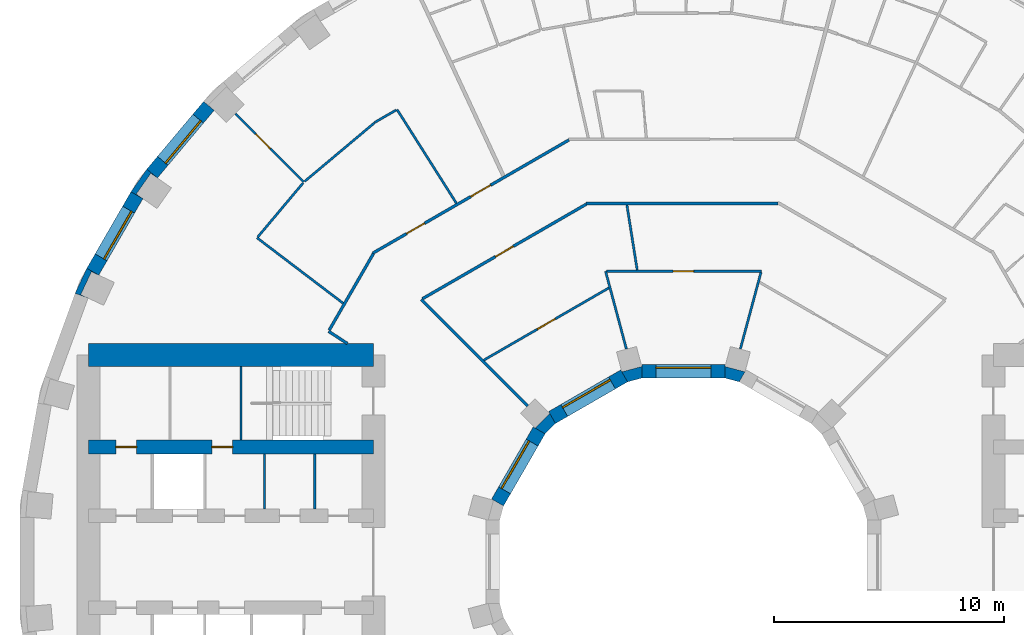
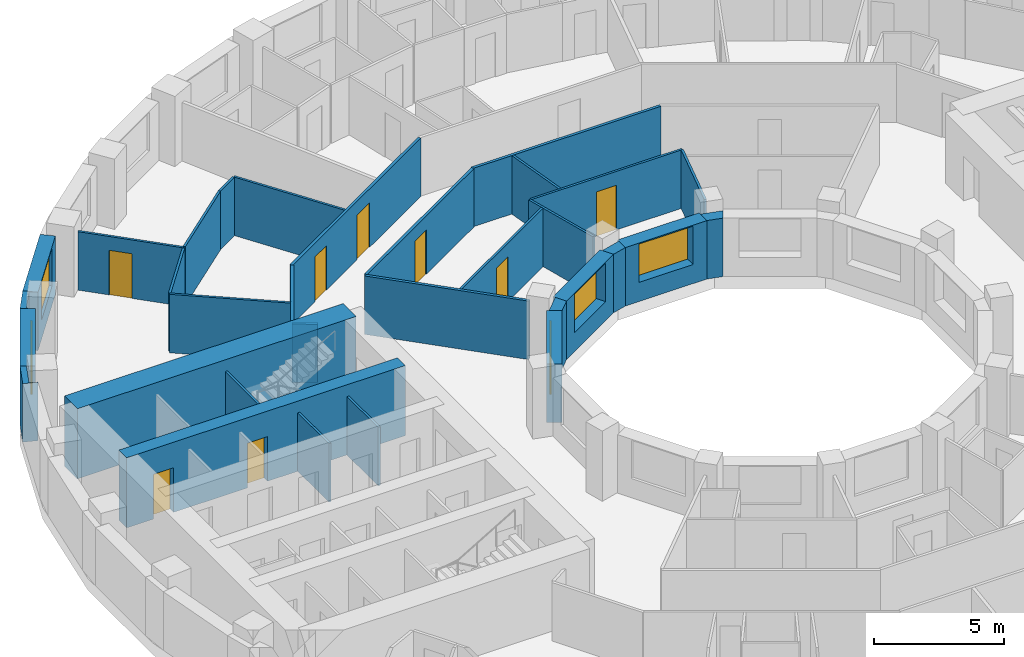
# One storey, part 10 of 15: 32 walls, 8 doors, 5 windows, 13 openings.
"""IFC4 building model written with IfcOpenShell, lengths in metres."""

from ifc_helpers import new_model, si_unit, direction, frame, frame_2d, origin, place, context, subcontext, project, spatial, polyline, rectangle, outline, extrude, material, layer, layer_set, type_object, element, fill, save


model = new_model("IFC4")

# Units and contexts
model_context = context("Model", 3, precision=1e-05, world=origin(), true_north=direction((0.0, 1.0)))
body_context = subcontext(model_context, "Body", "Model", "MODEL_VIEW")
ifc_project = project(units=[si_unit("LENGTHUNIT", "METRE"), si_unit("AREAUNIT", "SQUARE_METRE"), si_unit("VOLUMEUNIT", "CUBIC_METRE"), si_unit("PLANEANGLEUNIT", "RADIAN"), si_unit("MASSUNIT", "GRAM", prefix="KILO")], contexts=[model_context])

# Site, building, storey
site_placement = place(None, origin())
site = spatial("IfcSite", under=ifc_project, at=site_placement, CompositionType="ELEMENT")
building_placement = place(site_placement, origin())
building = spatial("IfcBuilding", under=site, at=building_placement, Name="Saqina Gate Tower", CompositionType="ELEMENT")
storey_placement = place(building_placement, frame((0.0, 0.0, 42.800048828125)))
storey = spatial("IfcBuildingStorey", under=building, at=storey_placement, Name="L11", CompositionType="ELEMENT", Elevation=42.800048828125)

# Walls
ifc_material_1 = material(Name="Brick masonry (red)", Category="masonry")
wall_type_1 = type_object("IfcWallType", Name="BRICK PIER COPING RED", PredefinedType="SOLIDWALL", material=ifc_material_1)
wall_1_placement = place(storey_placement, origin())
element("IfcWall", 1, at=wall_1_placement, inside=storey, type_object=wall_type_1, Name="Pier cap L11 column 15", PredefinedType="SOLIDWALL", context=body_context, shape_type="SweptSolid", body=[
    extrude(outline(polyline([(-23.36669921875, 17.096923828125), (-24.0576171875, 16.110107421875), (-23.5380859375, 15.81005859375), (-23.8251953125, 16.010986328125), (-23.194091796875, 16.912109375), (-22.9072265625, 16.711181640625), (-23.36669921875, 17.096923828125)])), origin(), (0.0, 0.0, 1.0), 2.75),
])
wall_2_placement = place(storey_placement, origin())
element("IfcWall", 2, at=wall_2_placement, inside=storey, type_object=wall_type_1, Name="Pier cap L11 column 16", PredefinedType="SOLIDWALL", context=body_context, shape_type="SweptSolid", body=[
    extrude(outline(polyline([(-26.48974609375, 11.687744140625), (-25.92578125, 11.482666015625), (-26.243408203125, 11.630615234375), (-25.778564453125, 12.627685546875), (-25.4609375, 12.4794921875), (-25.980712890625, 12.779541015625), (-26.48974609375, 11.687744140625)])), origin(), (0.0, 0.0, 1.0), 2.75),
])
ifc_material_2 = material(Name="Gypsum board on steel studs", Category="steel")
ifc_layer_1 = layer(ifc_material_2, 0.10009765625)
ifc_layer_set_1 = layer_set([ifc_layer_1], Name="CORE PARTITION")
wall_type_2 = type_object("IfcWallType", Name="CORE PARTITION", PredefinedType="PARTITIONING", material=ifc_layer_set_1)
for number, where, z_axis, x_axis, name in (
    (3, (-16.052001953125, 2.300048828125, 0.0), (0.0, 0.0, 1.0), (0.0, 1.0, 0.0), "L11-CP-W01"),
    (4, (-18.24072265625, 2.300048828125, 0.0), (0.0, 0.0, 1.0), (0.0, 1.0, 0.0), "L11-CP-W02"),
):
    element("IfcWall", number, at=place(storey_placement, frame(where, z_axis=z_axis, x_axis=x_axis)), inside=storey, type_object=wall_type_2, Name=name, PredefinedType="PARTITIONING", context=body_context, shape_type="SweptSolid", body=[
        extrude(rectangle(XDim=2.39990234375, YDim=0.10009765625, at=frame_2d((1.199951171875, 0.0))), origin(), (0.0, 0.0, 1.0), 2.75),
    ])

# Wall, opening, window
ifc_material_3 = material(Name="Brick masonry (red)", Category="masonry")
ifc_layer_2 = layer(ifc_material_3, 0.60009765625)
ifc_layer_set_2 = layer_set([ifc_layer_2], Name="FW-BRICK-RED")
wall_type_3 = type_object("IfcWallType", Name="FW-BRICK-RED", PredefinedType="SOLIDWALL", material=ifc_layer_set_2)
wall_3_placement = place(storey_placement, frame((-20.664794921875, 19.85009765625, 0.0), z_axis=(0.0, 0.0, 1.0), x_axis=(-0.642809392687, -0.766026164483, 0.0)))
wall_3 = element("IfcWall", 5, at=wall_3_placement, inside=storey, type_object=wall_type_3, Name="Facade wall L11 facet 14", PredefinedType="SOLIDWALL", context=body_context, shape_type="SweptSolid", body=[
    extrude(rectangle(XDim=3.845947265625, YDim=0.60009765625, at=frame_2d((1.9228515625, 0.0))), origin(), (0.0, 0.0, 1.0), 2.75),
])
opening_1_placement = place(wall_3_placement, frame((0.722900390625, 0.0, 0.89990234375)))
opening_1 = element("IfcOpeningElement", 6, at=opening_1_placement, cuts=wall_3, Name="Opening G02-W12", PredefinedType="OPENING", context=body_context, shape_type="SweptSolid", body=[
    extrude(rectangle(XDim=2.39990234375, YDim=1.800048828125, at=frame_2d((1.199951171875, 0.89990234375))), frame((0.0, 0.31201171875, 0.0), z_axis=(0.0, -1.0, 0.0), x_axis=(1.0, 0.0, 0.0)), (0.0, 0.0, 1.0), 0.6240234375),
])
ifc_material_4 = material(Name="Aluminium glazing", Category="aluminium")
window_type_1 = type_object("IfcWindowType", Name="WN-A", PartitioningType="SINGLE_PANEL", PredefinedType="WINDOW", material=ifc_material_4)
window_1_placement = place(opening_1_placement, origin())
window_1 = element("IfcWindow", 7, at=window_1_placement, inside=storey, type_object=window_type_1, Name="Window L11 facet 14", OverallHeight=1.800048828125, OverallWidth=2.39990234375, PartitioningType="SINGLE_PANEL", PredefinedType="WINDOW", context=body_context, shape_type="SweptSolid", body=[
    extrude(rectangle(XDim=2.39990234375, YDim=1.800048828125, at=frame_2d((1.199951171875, 0.89990234375))), frame((0.0, 0.179931640625, 0.0), z_axis=(0.0, -1.0, 0.0), x_axis=(1.0, 0.0, 0.0)), (0.0, 0.0, 1.0), 0.06005859375),
])
fill(opening_1, window_1)

wall_4_placement = place(storey_placement, frame((-23.7978515625, 15.960205078125, 0.0), z_axis=(0.0, 0.0, 1.0), x_axis=(-0.499989888488, -0.86603124159, 0.0)))
wall_4 = element("IfcWall", 8, at=wall_4_placement, inside=storey, type_object=wall_type_3, Name="Facade wall L11 facet 15", PredefinedType="SOLIDWALL", context=body_context, shape_type="SweptSolid", body=[
    extrude(rectangle(XDim=3.845703125, YDim=0.60009765625, at=frame_2d((1.9228515625, 0.0))), origin(), (0.0, 0.0, 1.0), 2.75),
])
opening_2_placement = place(wall_4_placement, frame((0.722900390625, 0.0, 0.89990234375)))
opening_2 = element("IfcOpeningElement", 9, at=opening_2_placement, cuts=wall_4, Name="Opening G02-W13", PredefinedType="OPENING", context=body_context, shape_type="SweptSolid", body=[
    extrude(rectangle(XDim=2.39990234375, YDim=1.800048828125, at=frame_2d((1.199951171875, 0.89990234375))), frame((0.0, 0.31201171875, 0.0), z_axis=(0.0, -1.0, 0.0), x_axis=(1.0, 0.0, 0.0)), (0.0, 0.0, 1.0), 0.6240234375),
])
window_2_placement = place(opening_2_placement, origin())
window_2 = element("IfcWindow", 10, at=window_2_placement, inside=storey, type_object=window_type_1, Name="Window L11 facet 15", OverallHeight=1.800048828125, OverallWidth=2.39990234375, PartitioningType="SINGLE_PANEL", PredefinedType="WINDOW", context=body_context, shape_type="SweptSolid", body=[
    extrude(rectangle(XDim=2.39990234375, YDim=1.800048828125, at=frame_2d((1.199951171875, 0.89990234375))), frame((0.0, 0.179931640625, 0.0), z_axis=(0.0, -1.0, 0.0), x_axis=(1.0, 0.0, 0.0)), (0.0, 0.0, 1.0), 0.06005859375),
])
fill(opening_2, window_2)

ifc_material_5 = material(Name="Glazed ceramic tile", Category="ceramic")
ifc_layer_3 = layer(ifc_material_5, 0.60009765625)
ifc_layer_set_3 = layer_set([ifc_layer_3], Name="IW-TILE")
wall_type_4 = type_object("IfcWallType", Name="IW-TILE", PredefinedType="SOLIDWALL", material=ifc_layer_set_3)
wall_5_placement = place(storey_placement, frame((1.8125, 8.300048828125, 0.0), z_axis=(0.0, 0.0, 1.0), x_axis=(-1.0, 0.0, 0.0)))
wall_5 = element("IfcWall", 11, at=wall_5_placement, inside=storey, type_object=wall_type_4, Name="Well wall L11 facet 3", PredefinedType="SOLIDWALL", context=body_context, shape_type="SweptSolid", body=[
    extrude(rectangle(XDim=3.625, YDim=0.60009765625, at=frame_2d((1.8125, 0.0))), origin(), (0.0, 0.0, 1.0), 2.75),
])
opening_3_placement = place(wall_5_placement, frame((0.612548828125, 0.0, 0.89990234375)))
opening_3 = element("IfcOpeningElement", 12, at=opening_3_placement, cuts=wall_5, Name="Opening G02-W25", PredefinedType="OPENING", context=body_context, shape_type="SweptSolid", body=[
    extrude(rectangle(XDim=2.39990234375, YDim=1.800048828125, at=frame_2d((1.199951171875, 0.89990234375))), frame((0.0, 0.31201171875, 0.0), z_axis=(0.0, -1.0, 0.0), x_axis=(1.0, 0.0, 0.0)), (0.0, 0.0, 1.0), 0.6240234375),
])
ifc_material_6 = material(Name="Aluminium glazing", Category="aluminium")
window_type_2 = type_object("IfcWindowType", Name="WN-W", PartitioningType="SINGLE_PANEL", PredefinedType="WINDOW", material=ifc_material_6)
window_3_placement = place(opening_3_placement, origin())
window_3 = element("IfcWindow", 13, at=window_3_placement, inside=storey, type_object=window_type_2, Name="Well window L11 facet 3", OverallHeight=1.800048828125, OverallWidth=2.39990234375, PartitioningType="SINGLE_PANEL", PredefinedType="WINDOW", context=body_context, shape_type="SweptSolid", body=[
    extrude(rectangle(XDim=2.39990234375, YDim=1.800048828125, at=frame_2d((1.199951171875, 0.89990234375))), frame((0.0, -0.119873046875, 0.0), z_axis=(0.0, -1.0, 0.0), x_axis=(1.0, 0.0, 0.0)), (0.0, 0.0, 1.0), 0.06005859375),
])
fill(opening_3, window_3)

wall_6_placement = place(storey_placement, frame((-2.580322265625, 8.09423828125, 0.0), z_axis=(0.0, 0.0, 1.0), x_axis=(-0.866029693906, -0.499992569217, 0.0)))
wall_6 = element("IfcWall", 14, at=wall_6_placement, inside=storey, type_object=wall_type_4, Name="Well wall L11 facet 4", PredefinedType="SOLIDWALL", context=body_context, shape_type="SweptSolid", body=[
    extrude(rectangle(XDim=3.625, YDim=0.60009765625, at=frame_2d((1.8125, 0.0))), origin(), (0.0, 0.0, 1.0), 2.75),
])
opening_4_placement = place(wall_6_placement, frame((0.612548828125, 0.0, 0.89990234375)))
opening_4 = element("IfcOpeningElement", 15, at=opening_4_placement, cuts=wall_6, Name="Opening G02-W26", PredefinedType="OPENING", context=body_context, shape_type="SweptSolid", body=[
    extrude(rectangle(XDim=2.39990234375, YDim=1.800048828125, at=frame_2d((1.199951171875, 0.89990234375))), frame((0.0, 0.31201171875, 0.0), z_axis=(0.0, -1.0, 0.0), x_axis=(1.0, 0.0, 0.0)), (0.0, 0.0, 1.0), 0.6240234375),
])
window_4_placement = place(opening_4_placement, origin())
window_4 = element("IfcWindow", 16, at=window_4_placement, inside=storey, type_object=window_type_2, Name="Well window L11 facet 4", OverallHeight=1.800048828125, OverallWidth=2.39990234375, PartitioningType="SINGLE_PANEL", PredefinedType="WINDOW", context=body_context, shape_type="SweptSolid", body=[
    extrude(rectangle(XDim=2.39990234375, YDim=1.800048828125, at=frame_2d((1.199951171875, 0.89990234375))), frame((0.0, -0.119873046875, 0.0), z_axis=(0.0, -1.0, 0.0), x_axis=(1.0, 0.0, 0.0)), (0.0, 0.0, 1.0), 0.06005859375),
])
fill(opening_4, window_4)

wall_7_placement = place(storey_placement, frame((-6.28173828125, 5.7197265625, 0.0), z_axis=(0.0, 0.0, 1.0), x_axis=(-0.499992569217, -0.866029693906, 0.0)))
wall_7 = element("IfcWall", 17, at=wall_7_placement, inside=storey, type_object=wall_type_4, Name="Well wall L11 facet 5", PredefinedType="SOLIDWALL", context=body_context, shape_type="SweptSolid", body=[
    extrude(rectangle(XDim=3.625, YDim=0.60009765625, at=frame_2d((1.8125, 0.0))), origin(), (0.0, 0.0, 1.0), 2.75),
])
opening_5_placement = place(wall_7_placement, frame((0.612548828125, 0.0, 0.89990234375)))
opening_5 = element("IfcOpeningElement", 18, at=opening_5_placement, cuts=wall_7, Name="Opening G02-W27", PredefinedType="OPENING", context=body_context, shape_type="SweptSolid", body=[
    extrude(rectangle(XDim=2.39990234375, YDim=1.800048828125, at=frame_2d((1.199951171875, 0.89990234375))), frame((0.0, 0.31201171875, 0.0), z_axis=(0.0, -1.0, 0.0), x_axis=(1.0, 0.0, 0.0)), (0.0, 0.0, 1.0), 0.6240234375),
])
window_5_placement = place(opening_5_placement, origin())
window_5 = element("IfcWindow", 19, at=window_5_placement, inside=storey, type_object=window_type_2, Name="Well window L11 facet 5", OverallHeight=1.800048828125, OverallWidth=2.39990234375, PartitioningType="SINGLE_PANEL", PredefinedType="WINDOW", context=body_context, shape_type="SweptSolid", body=[
    extrude(rectangle(XDim=2.39990234375, YDim=1.800048828125, at=frame_2d((1.199951171875, 0.89990234375))), frame((0.0, -0.119873046875, 0.0), z_axis=(0.0, -1.0, 0.0), x_axis=(1.0, 0.0, 0.0)), (0.0, 0.0, 1.0), 0.06005859375),
])
fill(opening_5, window_5)

# Walls
ifc_material_7 = material(Name="Gypsum board on steel studs, 100 mm", Category="steel")
ifc_layer_4 = layer(ifc_material_7, 0.10009765625)
ifc_layer_set_4 = layer_set([ifc_layer_4], Name="PARTITION 100")
wall_type_5 = type_object("IfcWallType", Name="PARTITION 100", PredefinedType="PARTITIONING", material=ifc_layer_set_4)
wall_8_placement = place(storey_placement, frame((-2.461181640625, 15.538330078125, 0.0), z_axis=(0.0, 0.0, 1.0), x_axis=(0.156376935557, -0.987697450653, 0.0)))
element("IfcWall", 20, at=wall_8_placement, inside=storey, type_object=wall_type_5, Name="PARTITION PW3-07", PredefinedType="PARTITIONING", context=body_context, shape_type="SweptSolid", body=[
    extrude(rectangle(XDim=2.874267578125, YDim=0.10009765625, at=frame_2d((1.43701171875, 0.0))), origin(), (0.0, 0.0, 1.0), 2.75),
])
wall_9_placement = place(storey_placement, frame((-3.389892578125, 12.64990234375, 0.0), z_axis=(0.0, 0.0, 1.0), x_axis=(0.258846371061, -0.965918503906, 0.0)))
element("IfcWall", 21, at=wall_9_placement, inside=storey, type_object=wall_type_5, Name="PARTITION PW3-15", PredefinedType="PARTITIONING", context=body_context, shape_type="SweptSolid", body=[
    extrude(rectangle(XDim=3.50390625, YDim=0.10009765625, at=frame_2d((1.751953125, 0.0))), origin(), (0.0, 0.0, 1.0), 2.75),
])
wall_10_placement = place(storey_placement, frame((-12.469970703125, 19.693115234375, 0.0), z_axis=(0.0, 0.0, 1.0), x_axis=(0.535000379435, -0.844851817779, 0.0)))
element("IfcWall", 22, at=wall_10_placement, inside=storey, type_object=wall_type_5, Name="PARTITION PW3-29", PredefinedType="PARTITIONING", context=body_context, shape_type="SweptSolid", body=[
    extrude(rectangle(XDim=4.830810546875, YDim=0.10009765625, at=frame_2d((2.41552734375, 0.0))), origin(), (0.0, 0.0, 1.0), 2.75),
])

# Wall, opening, door
wall_11_placement = place(storey_placement, frame((-19.509033203125, 19.509033203125, 0.0), z_axis=(0.0, 0.0, 1.0), x_axis=(0.707106781187, -0.707106781187, 0.0)))
wall_11 = element("IfcWall", 23, at=wall_11_placement, inside=storey, type_object=wall_type_5, Name="PARTITION PW3-35", PredefinedType="PARTITIONING", context=body_context, shape_type="SweptSolid", body=[
    extrude(rectangle(XDim=4.211669921875, YDim=0.10009765625, at=frame_2d((2.10595703125, 0.0))), origin(), (0.0, 0.0, 1.0), 2.75),
])
opening_6_placement = place(wall_11_placement, frame((1.252197265625, 0.0, 0.0)))
opening_6 = element("IfcOpeningElement", 24, at=opening_6_placement, cuts=wall_11, Name="Opening G02-D31", PredefinedType="OPENING", context=body_context, shape_type="SweptSolid", body=[
    extrude(rectangle(XDim=0.89990234375, YDim=2.10009765625, at=frame_2d((0.449951171875, 1.050048828125))), frame((0.0, 0.06201171875, 0.0), z_axis=(0.0, -1.0, 0.0), x_axis=(1.0, 0.0, 0.0)), (0.0, 0.0, 1.0), 0.1240234375),
])
ifc_material_8 = material(Name="Timber door leaf, 900 mm", Category="wood")
door_type_1 = type_object("IfcDoorType", Name="DOOR 900 TIMBER", OperationType="SINGLE_SWING_LEFT", PredefinedType="DOOR", material=ifc_material_8)
door_1_placement = place(opening_6_placement, frame((0.89990234375, 0.0, 0.0), z_axis=(0.0, 0.0, 1.0), x_axis=(-1.0, 0.0, 0.0)))
door_1 = element("IfcDoor", 25, at=door_1_placement, inside=storey, type_object=door_type_1, Name="DOOR G02-D31", OperationType="SINGLE_SWING_RIGHT", OverallHeight=2.10009765625, OverallWidth=0.89990234375, PredefinedType="DOOR", context=body_context, shape_type="SweptSolid", body=[
    extrude(rectangle(XDim=0.89990234375, YDim=2.10009765625, at=frame_2d((0.449951171875, 1.050048828125))), frame((0.0, 0.02490234375, 0.0), z_axis=(0.0, -1.0, 0.0), x_axis=(1.0, 0.0, 0.0)), (0.0, 0.0, 1.0), 0.050048828125),
])
fill(opening_6, door_1)

# Wall
wall_12_placement = place(storey_placement, frame((-18.56689453125, 14.10498046875, 0.0), z_axis=(0.0, 0.0, 1.0), x_axis=(0.796206168274, -0.605025402444, 0.0)))
element("IfcWall", 26, at=wall_12_placement, inside=storey, type_object=wall_type_5, Name="PARTITION PW3-38", PredefinedType="PARTITIONING", context=body_context, shape_type="SweptSolid", body=[
    extrude(rectangle(XDim=4.70703125, YDim=0.10009765625, at=frame_2d((2.353515625, 0.0))), origin(), (0.0, 0.0, 1.0), 2.75),
])

# Wall, opening, door
wall_13_placement = place(storey_placement, frame((-3.340087890625, 12.64990234375, 0.0), z_axis=(0.0, 0.0, 1.0), x_axis=(1.0, 0.0, 0.0)))
wall_13 = element("IfcWall", 27, at=wall_13_placement, inside=storey, type_object=wall_type_5, Name="PARTITION PW3-61", PredefinedType="PARTITIONING", context=body_context, shape_type="SweptSolid", body=[
    extrude(rectangle(XDim=6.72998046875, YDim=0.10009765625, at=frame_2d((3.364990234375, 0.0))), origin(), (0.0, 0.0, 1.0), 2.75),
])
opening_7_placement = place(wall_13_placement, frame((2.889892578125, 0.0, 0.0)))
opening_7 = element("IfcOpeningElement", 28, at=opening_7_placement, cuts=wall_13, Name="Opening G02-D19", PredefinedType="OPENING", context=body_context, shape_type="SweptSolid", body=[
    extrude(rectangle(XDim=0.89990234375, YDim=2.10009765625, at=frame_2d((0.449951171875, 1.050048828125))), frame((0.0, 0.06201171875, 0.0), z_axis=(0.0, -1.0, 0.0), x_axis=(1.0, 0.0, 0.0)), (0.0, 0.0, 1.0), 0.1240234375),
])
door_2_placement = place(opening_7_placement, origin())
door_2 = element("IfcDoor", 29, at=door_2_placement, inside=storey, type_object=door_type_1, Name="DOOR G02-D19", OperationType="SINGLE_SWING_LEFT", OverallHeight=2.10009765625, OverallWidth=0.89990234375, PredefinedType="DOOR", context=body_context, shape_type="SweptSolid", body=[
    extrude(rectangle(XDim=0.89990234375, YDim=2.10009765625, at=frame_2d((0.449951171875, 1.050048828125))), frame((0.0, 0.02490234375, 0.0), z_axis=(0.0, -1.0, 0.0), x_axis=(1.0, 0.0, 0.0)), (0.0, 0.0, 1.0), 0.050048828125),
])
fill(opening_7, door_2)

wall_14_placement = place(storey_placement, frame((-8.69384765625, 8.779296875, 0.0), z_axis=(0.0, 0.0, 1.0), x_axis=(0.86602790099, 0.499995674689, 0.0)))
wall_14 = element("IfcWall", 30, at=wall_14_placement, inside=storey, type_object=wall_type_5, Name="PARTITION PW3-80", PredefinedType="PARTITIONING", context=body_context, shape_type="SweptSolid", body=[
    extrude(rectangle(XDim=6.291015625, YDim=0.10009765625, at=frame_2d((3.1455078125, 0.0))), origin(), (0.0, 0.0, 1.0), 2.75),
])
opening_8_placement = place(wall_14_placement, frame((2.689453125, 0.0, 0.0)))
opening_8 = element("IfcOpeningElement", 31, at=opening_8_placement, cuts=wall_14, Name="Opening G02-D28", PredefinedType="OPENING", context=body_context, shape_type="SweptSolid", body=[
    extrude(rectangle(XDim=0.89990234375, YDim=2.10009765625, at=frame_2d((0.449951171875, 1.050048828125))), frame((0.0, 0.06201171875, 0.0), z_axis=(0.0, -1.0, 0.0), x_axis=(1.0, 0.0, 0.0)), (0.0, 0.0, 1.0), 0.1240234375),
])
door_3_placement = place(opening_8_placement, origin())
door_3 = element("IfcDoor", 32, at=door_3_placement, inside=storey, type_object=door_type_1, Name="DOOR G02-D28", OperationType="SINGLE_SWING_LEFT", OverallHeight=2.10009765625, OverallWidth=0.89990234375, PredefinedType="DOOR", context=body_context, shape_type="SweptSolid", body=[
    extrude(rectangle(XDim=0.89990234375, YDim=2.10009765625, at=frame_2d((0.449951171875, 1.050048828125))), frame((0.0, 0.02490234375, 0.0), z_axis=(0.0, -1.0, 0.0), x_axis=(1.0, 0.0, 0.0)), (0.0, 0.0, 1.0), 0.050048828125),
])
fill(opening_8, door_3)

# Walls
wall_15_placement = place(storey_placement, frame((-13.452880859375, 19.125732421875, 0.0), z_axis=(0.0, 0.0, 1.0), x_axis=(0.866144373206, 0.499793882279, 0.0)))
element("IfcWall", 33, at=wall_15_placement, inside=storey, type_object=wall_type_5, Name="PARTITION PW3-81", PredefinedType="PARTITIONING", context=body_context, shape_type="SweptSolid", body=[
    extrude(rectangle(XDim=1.0849609375, YDim=0.10009765625, at=frame_2d((0.54248046875, 0.0))), origin(), (0.0, 0.0, 1.0), 2.75),
])
wall_16_placement = place(storey_placement, frame((-16.49267578125, 16.563232421875, 0.0), z_axis=(0.0, 0.0, 1.0), x_axis=(0.766012051309, 0.642826210767, 0.0)))
element("IfcWall", 34, at=wall_16_placement, inside=storey, type_object=wall_type_5, Name="PARTITION PW3-85", PredefinedType="PARTITIONING", context=body_context, shape_type="SweptSolid", body=[
    extrude(rectangle(XDim=3.9755859375, YDim=0.10009765625, at=frame_2d((1.98779296875, 0.0))), origin(), (0.0, 0.0, 1.0), 2.75),
])
wall_17_placement = place(storey_placement, frame((-18.533447265625, 14.14501953125, 0.0), z_axis=(0.0, 0.0, 1.0), x_axis=(0.642844541506, 0.765996668045, 0.0)))
element("IfcWall", 35, at=wall_17_placement, inside=storey, type_object=wall_type_5, Name="PARTITION PW3-93", PredefinedType="PARTITIONING", context=body_context, shape_type="SweptSolid", body=[
    extrude(rectangle(XDim=3.06494140625, YDim=0.10009765625, at=frame_2d((1.532470703125, 0.0))), origin(), (0.0, 0.0, 1.0), 2.75),
])
wall_18_placement = place(storey_placement, frame((2.47998046875, 9.26611328125, 0.0), z_axis=(0.0, 0.0, 1.0), x_axis=(0.259676899278, 0.965695556571, 0.0)))
element("IfcWall", 36, at=wall_18_placement, inside=storey, type_object=wall_type_5, Name="PARTITION PW3-107", PredefinedType="PARTITIONING", context=body_context, shape_type="SweptSolid", body=[
    extrude(rectangle(XDim=3.4541015625, YDim=0.10009765625, at=frame_2d((1.72705078125, 0.0))), origin(), (0.0, 0.0, 1.0), 2.75),
])
ifc_material_9 = material(Name="Gypsum board on steel studs, 125 mm, fire rated", Category="steel")
ifc_layer_5 = layer(ifc_material_9, 0.125)
ifc_layer_set_5 = layer_set([ifc_layer_5], Name="PARTITION EI 30 125")
wall_type_6 = type_object("IfcWallType", Name="PARTITION EI 30 125", PredefinedType="PARTITIONING", material=ifc_layer_set_5)
wall_19_placement = place(storey_placement, frame((-11.419921875, 11.419921875, 0.0), z_axis=(0.0, 0.0, 1.0), x_axis=(0.707106781187, -0.707106781187, 0.0)))
element("IfcWall", 37, at=wall_19_placement, inside=storey, type_object=wall_type_6, Name="PARTITION PW1-09", PredefinedType="PARTITIONING", context=body_context, shape_type="SweptSolid", body=[
    extrude(rectangle(XDim=6.55810546875, YDim=0.125, at=frame_2d((3.279052734375, 0.0))), origin(), (0.0, 0.0, 1.0), 2.75),
])
wall_20_placement = place(storey_placement, frame((-15.452880859375, 10.034912109375, 0.0), z_axis=(0.0, 0.0, 1.0), x_axis=(0.838755766808, -0.544507817801, 0.0)))
element("IfcWall", 38, at=wall_20_placement, inside=storey, type_object=wall_type_6, Name="PARTITION PW1-13", PredefinedType="PARTITIONING", context=body_context, shape_type="SweptSolid", body=[
    extrude(rectangle(XDim=0.982421875, YDim=0.125, at=frame_2d((0.4912109375, 0.0))), origin(), (0.0, 0.0, 1.0), 2.75),
])
wall_21_placement = place(storey_placement, frame((-4.252197265625, 15.60009765625, 0.0), z_axis=(0.0, 0.0, 1.0), x_axis=(1.0, 0.0, 0.0)))
element("IfcWall", 39, at=wall_21_placement, inside=storey, type_object=wall_type_6, Name="PARTITION PW1-29", PredefinedType="PARTITIONING", context=body_context, shape_type="SweptSolid", body=[
    extrude(rectangle(XDim=8.36962890625, YDim=0.125, at=frame_2d((4.184814453125, 0.0))), origin(), (0.0, 0.0, 1.0), 2.75),
])

# Wall, opening, door
wall_22_placement = place(storey_placement, frame((-11.365966796875, 11.451171875, 0.0), z_axis=(0.0, 0.0, 1.0), x_axis=(0.866019704869, 0.500009870681, 0.0)))
wall_22 = element("IfcWall", 40, at=wall_22_placement, inside=storey, type_object=wall_type_6, Name="PARTITION PW1-42", PredefinedType="PARTITIONING", context=body_context, shape_type="SweptSolid", body=[
    extrude(rectangle(XDim=8.235107421875, YDim=0.125, at=frame_2d((4.11767578125, 0.0))), origin(), (0.0, 0.0, 1.0), 2.75),
])
opening_9_placement = place(wall_22_placement, frame((3.66748046875, 0.0, 0.0)))
opening_9 = element("IfcOpeningElement", 41, at=opening_9_placement, cuts=wall_22, Name="Opening G02-D29", PredefinedType="OPENING", context=body_context, shape_type="SweptSolid", body=[
    extrude(rectangle(XDim=0.89990234375, YDim=2.10009765625, at=frame_2d((0.449951171875, 1.050048828125))), frame((0.0, 0.074462890625, 0.0), z_axis=(0.0, -1.0, 0.0), x_axis=(1.0, 0.0, 0.0)), (0.0, 0.0, 1.0), 0.14892578125),
])
ifc_material_10 = material(Name="Fire door leaf EI 30, 900 mm")
door_type_2 = type_object("IfcDoorType", Name="DOOR 900 EI 30", OperationType="SINGLE_SWING_LEFT", PredefinedType="DOOR", material=ifc_material_10)
door_4_placement = place(opening_9_placement, frame((0.89990234375, 0.0, 0.0), z_axis=(0.0, 0.0, 1.0), x_axis=(-1.0, 0.0, 0.0)))
door_4 = element("IfcDoor", 42, at=door_4_placement, inside=storey, type_object=door_type_2, Name="DOOR G02-D29", OperationType="SINGLE_SWING_RIGHT", OverallHeight=2.10009765625, OverallWidth=0.89990234375, PredefinedType="DOOR", context=body_context, shape_type="SweptSolid", body=[
    extrude(rectangle(XDim=0.89990234375, YDim=2.10009765625, at=frame_2d((0.449951171875, 1.050048828125))), frame((0.0, 0.02490234375, 0.0), z_axis=(0.0, -1.0, 0.0), x_axis=(1.0, 0.0, 0.0)), (0.0, 0.0, 1.0), 0.050048828125),
])
fill(opening_9, door_4)

# Wall, openings, doors
wall_23_placement = place(storey_placement, frame((-13.532470703125, 13.433837890625, 0.0), z_axis=(0.0, 0.0, 1.0), x_axis=(0.86605048973, 0.49995654735, 0.0)))
wall_23 = element("IfcWall", 43, at=wall_23_placement, inside=storey, type_object=wall_type_6, Name="PARTITION PW1-43", PredefinedType="PARTITIONING", context=body_context, shape_type="SweptSolid", body=[
    extrude(rectangle(XDim=9.87060546875, YDim=0.125, at=frame_2d((4.935302734375, 0.0))), origin(), (0.0, 0.0, 1.0), 2.75),
])
opening_10_placement = place(wall_23_placement, frame((4.93115234375, 0.0, 0.0)))
opening_10 = element("IfcOpeningElement", 44, at=opening_10_placement, cuts=wall_23, Name="Opening G02-D27", PredefinedType="OPENING", context=body_context, shape_type="SweptSolid", body=[
    extrude(rectangle(XDim=1.0, YDim=2.10009765625, at=frame_2d((0.5, 1.050048828125))), frame((0.0, 0.074462890625, 0.0), z_axis=(0.0, -1.0, 0.0), x_axis=(1.0, 0.0, 0.0)), (0.0, 0.0, 1.0), 0.14892578125),
])
opening_11_placement = place(wall_23_placement, frame((1.711181640625, 0.0, 0.0)))
opening_11 = element("IfcOpeningElement", 45, at=opening_11_placement, cuts=wall_23, Name="Opening G02-D30", PredefinedType="OPENING", context=body_context, shape_type="SweptSolid", body=[
    extrude(rectangle(XDim=0.89990234375, YDim=2.10009765625, at=frame_2d((0.449951171875, 1.050048828125))), frame((0.0, 0.074462890625, 0.0), z_axis=(0.0, -1.0, 0.0), x_axis=(1.0, 0.0, 0.0)), (0.0, 0.0, 1.0), 0.14892578125),
])
ifc_material_11 = material(Name="Fire door leaf EI 30, 1000 mm")
door_type_3 = type_object("IfcDoorType", Name="DOOR 1000 EI 30", OperationType="SINGLE_SWING_LEFT", PredefinedType="DOOR", material=ifc_material_11)
door_5_placement = place(opening_10_placement, origin())
door_5 = element("IfcDoor", 46, at=door_5_placement, inside=storey, type_object=door_type_3, Name="DOOR G02-D27", OperationType="SINGLE_SWING_RIGHT", OverallHeight=2.10009765625, OverallWidth=1.0, PredefinedType="DOOR", context=body_context, shape_type="SweptSolid", body=[
    extrude(rectangle(XDim=1.0, YDim=2.10009765625, at=frame_2d((0.5, 1.050048828125))), frame((0.0, 0.02490234375, 0.0), z_axis=(0.0, -1.0, 0.0), x_axis=(1.0, 0.0, 0.0)), (0.0, 0.0, 1.0), 0.050048828125),
])
fill(opening_10, door_5)
door_6_placement = place(opening_11_placement, origin())
door_6 = element("IfcDoor", 47, at=door_6_placement, inside=storey, type_object=door_type_2, Name="DOOR G02-D30", OperationType="SINGLE_SWING_LEFT", OverallHeight=2.10009765625, OverallWidth=0.89990234375, PredefinedType="DOOR", context=body_context, shape_type="SweptSolid", body=[
    extrude(rectangle(XDim=0.89990234375, YDim=2.10009765625, at=frame_2d((0.449951171875, 1.050048828125))), frame((0.0, 0.02490234375, 0.0), z_axis=(0.0, -1.0, 0.0), x_axis=(1.0, 0.0, 0.0)), (0.0, 0.0, 1.0), 0.050048828125),
])
fill(opening_11, door_6)

# Walls
wall_24_placement = place(storey_placement, frame((-15.421630859375, 10.089111328125, 0.0), z_axis=(0.0, 0.0, 1.0), x_axis=(0.499953532967, 0.866052229876, 0.0)))
element("IfcWall", 48, at=wall_24_placement, inside=storey, type_object=wall_type_6, Name="PARTITION PW1-49", PredefinedType="PARTITIONING", context=body_context, shape_type="SweptSolid", body=[
    extrude(rectangle(XDim=3.841064453125, YDim=0.125, at=frame_2d((1.92041015625, 0.0))), origin(), (0.0, 0.0, 1.0), 2.75),
])
ifc_material_12 = material(Name="Autoclaved aerated concrete block", Category="concrete")
ifc_layer_6 = layer(ifc_material_12, 0.10009765625)
ifc_layer_set_6 = layer_set([ifc_layer_6], Name="STAIR ENCLOSURE WALL")
wall_type_7 = type_object("IfcWallType", Name="STAIR ENCLOSURE WALL", PredefinedType="PARTITIONING", material=ifc_layer_set_6)
wall_25_placement = place(storey_placement, frame((-19.27001953125, 5.300048828125, 0.0), z_axis=(0.0, 0.0, 1.0), x_axis=(0.0, 1.0, 0.0)))
element("IfcWall", 49, at=wall_25_placement, inside=storey, type_object=wall_type_7, Name="L11-CP-W10", PredefinedType="PARTITIONING", context=body_context, shape_type="SweptSolid", body=[
    extrude(rectangle(XDim=3.199951171875, YDim=0.10009765625, at=frame_2d((1.60009765625, 0.0))), origin(), (0.0, 0.0, 1.0), 2.75),
])

# Wall, openings, doors
ifc_material_13 = material(Name="Concrete C70/85", Category="concrete")
ifc_layer_7 = layer(ifc_material_13, 0.60009765625)
ifc_layer_set_7 = layer_set([ifc_layer_7], Name="Concrete C70/85")
wall_type_8 = type_object("IfcWallType", Name="STR-CORE WALL-A-I", PredefinedType="SHEAR", material=ifc_layer_set_7)
wall_26_placement = place(storey_placement, frame((-13.5, 5.0, 0.0), z_axis=(0.0, 0.0, 1.0), x_axis=(-1.0, 0.0, 0.0)))
wall_26 = element("IfcWall", 50, at=wall_26_placement, inside=storey, type_object=wall_type_8, Name="CORE WALL L11 W-X1", PredefinedType="SHEAR", context=body_context, shape_type="SweptSolid", body=[
    extrude(rectangle(XDim=12.39990234375, YDim=0.60009765625, at=frame_2d((6.199951171875, 0.0))), origin(), (0.0, 0.0, 1.0), 3.300048828125),
])
opening_12_placement = place(wall_26_placement, frame((6.1298828125, 0.0, 0.0)))
opening_12 = element("IfcOpeningElement", 51, at=opening_12_placement, cuts=wall_26, Name="Opening G02-D112", PredefinedType="OPENING", context=body_context, shape_type="SweptSolid", body=[
    extrude(rectangle(XDim=0.89990234375, YDim=2.10009765625, at=frame_2d((0.449951171875, 1.050048828125))), frame((0.0, 0.31201171875, 0.0), z_axis=(0.0, -1.0, 0.0), x_axis=(1.0, 0.0, 0.0)), (0.0, 0.0, 1.0), 0.6240234375),
])
opening_13_placement = place(wall_26_placement, frame((10.31005859375, 0.0, 0.0)))
opening_13 = element("IfcOpeningElement", 52, at=opening_13_placement, cuts=wall_26, Name="Opening G02-D113", PredefinedType="OPENING", context=body_context, shape_type="SweptSolid", body=[
    extrude(rectangle(XDim=0.89990234375, YDim=2.10009765625, at=frame_2d((0.449951171875, 1.050048828125))), frame((0.0, 0.31201171875, 0.0), z_axis=(0.0, -1.0, 0.0), x_axis=(1.0, 0.0, 0.0)), (0.0, 0.0, 1.0), 0.6240234375),
])
ifc_material_14 = material(Name="Steel-framed fire door leaf, EI 60", Category="steel")
door_type_4 = type_object("IfcDoorType", Name="SERVICE ROOM DOOR 900", OperationType="SINGLE_SWING_LEFT", PredefinedType="DOOR", material=ifc_material_14)
door_7_placement = place(opening_12_placement, frame((0.89990234375, 0.0, 0.0), z_axis=(0.0, 0.0, 1.0), x_axis=(-1.0, 0.0, 0.0)))
door_7 = element("IfcDoor", 53, at=door_7_placement, inside=storey, type_object=door_type_4, Name="L11-CD-W23", OperationType="SINGLE_SWING_RIGHT", OverallHeight=2.10009765625, OverallWidth=0.89990234375, PredefinedType="DOOR", context=body_context, shape_type="SweptSolid", body=[
    extrude(rectangle(XDim=0.89990234375, YDim=2.10009765625, at=frame_2d((0.449951171875, 1.050048828125))), frame((0.0, 0.02490234375, 0.0), z_axis=(0.0, -1.0, 0.0), x_axis=(1.0, 0.0, 0.0)), (0.0, 0.0, 1.0), 0.050048828125),
])
fill(opening_12, door_7)
door_8_placement = place(opening_13_placement, frame((0.89990234375, 0.0, 0.0), z_axis=(0.0, 0.0, 1.0), x_axis=(-1.0, 0.0, 0.0)))
door_8 = element("IfcDoor", 54, at=door_8_placement, inside=storey, type_object=door_type_4, Name="L11-CD-W24", OperationType="SINGLE_SWING_LEFT", OverallHeight=2.10009765625, OverallWidth=0.89990234375, PredefinedType="DOOR", context=body_context, shape_type="SweptSolid", body=[
    extrude(rectangle(XDim=0.89990234375, YDim=2.10009765625, at=frame_2d((0.449951171875, 1.050048828125))), frame((0.0, 0.02490234375, 0.0), z_axis=(0.0, -1.0, 0.0), x_axis=(1.0, 0.0, 0.0)), (0.0, 0.0, 1.0), 0.050048828125),
])
fill(opening_13, door_8)

# Walls
ifc_material_15 = material(Name="Concrete C70/85", Category="concrete")
ifc_layer_8 = layer(ifc_material_15, 1.0)
ifc_layer_set_8 = layer_set([ifc_layer_8], Name="Concrete C70/85")
wall_type_9 = type_object("IfcWallType", Name="STR-CORE WALL-A-O", PredefinedType="SHEAR", material=ifc_layer_set_8)
wall_27_placement = place(storey_placement, frame((-13.5, 9.0, 0.0), z_axis=(0.0, 0.0, 1.0), x_axis=(-1.0, 0.0, 0.0)))
element("IfcWall", 55, at=wall_27_placement, inside=storey, type_object=wall_type_9, Name="CORE WALL L11 W-NE", PredefinedType="SHEAR", context=body_context, shape_type="SweptSolid", body=[
    extrude(rectangle(XDim=12.39990234375, YDim=1.0, at=frame_2d((6.199951171875, 0.0))), origin(), (0.0, 0.0, 1.0), 3.300048828125),
])
ifc_material_16 = material(Name="Glazed ceramic tile", Category="ceramic")
wall_type_10 = type_object("IfcWallType", Name="TILE PIER COPING", PredefinedType="SOLIDWALL", material=ifc_material_16)
wall_28_placement = place(storey_placement, origin())
element("IfcWall", 56, at=wall_28_placement, inside=storey, type_object=wall_type_10, Name="Well pier cap L11 column 3", PredefinedType="SOLIDWALL", context=body_context, shape_type="SweptSolid", body=[
    extrude(outline(polyline([(1.8125, 8.502685546875), (1.8125, 8.0), (2.430419921875, 7.83447265625), (2.681884765625, 8.27001953125), (1.8125, 8.502685546875)])), origin(), (0.0, 0.0, 1.0), 2.75),
])
wall_29_placement = place(storey_placement, origin())
element("IfcWall", 57, at=wall_29_placement, inside=storey, type_object=wall_type_10, Name="Well pier cap L11 column 4", PredefinedType="SOLIDWALL", context=body_context, shape_type="SweptSolid", body=[
    extrude(outline(polyline([(-2.681884765625, 8.27001953125), (-2.430419921875, 7.83447265625), (-1.8125, 8.0), (-1.8125, 8.502685546875), (-2.681884765625, 8.27001953125)])), origin(), (0.0, 0.0, 1.0), 2.75),
])
wall_30_placement = place(storey_placement, origin())
element("IfcWall", 58, at=wall_30_placement, inside=storey, type_object=wall_type_10, Name="Well pier cap L11 column 5", PredefinedType="SOLIDWALL", context=body_context, shape_type="SweptSolid", body=[
    extrude(outline(polyline([(-6.45751953125, 5.821044921875), (-6.02197265625, 5.569580078125), (-5.569580078125, 6.02197265625), (-5.821044921875, 6.45751953125), (-6.45751953125, 5.821044921875)])), origin(), (0.0, 0.0, 1.0), 2.75),
])

save(model, "model.ifc")
